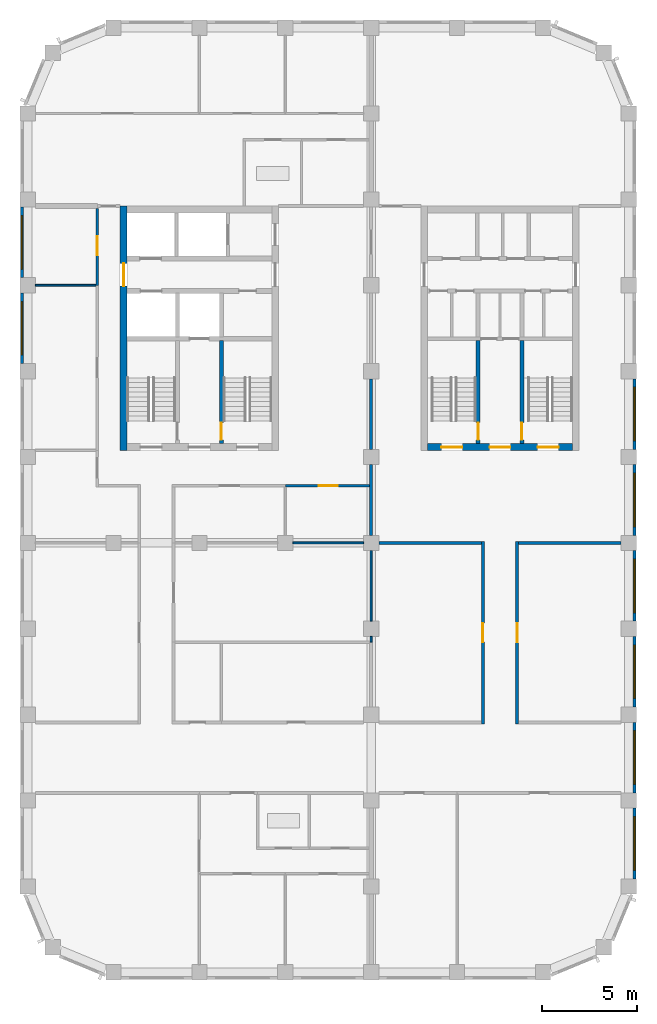
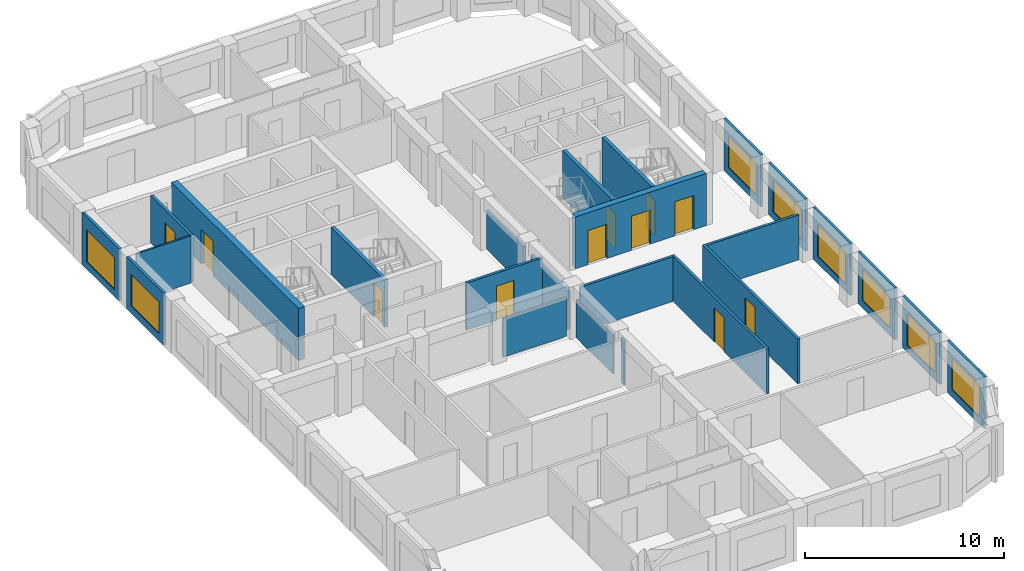
# One storey, part 4 of 9: 25 walls, 11 doors, 8 windows, 19 openings.
"""IFC4 building model written with IfcOpenShell, lengths in metres."""

import ifcopenshell
import ifcopenshell.guid

model = None  # the IFC model being written
_history = None  # IfcOwnerHistory: only IFC2X3 demands one
_inside = {}  # id of a spatial element -> (the spatial element, [elements in it])
_under = {}  # id of a project, library or spatial element -> (it, [spatial elements below it])
_declared = {}  # id of a project -> (the project, [libraries it declares])
_typed = {}  # id of a type object -> (the type object, [elements of that type])
_made_of = {}  # id of a material, layer set ... -> (it, [elements and type objects made of it])


def new_model(schema):
    """Start an empty IFC model of exactly this schema.

    Asked for "IFC4X3", IfcOpenShell would pick the latest addendum, in which some entities
    have other attributes; the version numbers below select the first issue.
    IFC2X3 requires an IfcOwnerHistory on every rooted entity: one is made here for all.
    """
    global model, _history
    if schema == "IFC4X3":
        model = ifcopenshell.file(schema_version=(4, 3, 0, 0))
    else:
        model = ifcopenshell.file(schema=schema)
    _inside.clear()
    _under.clear()
    _declared.clear()
    _typed.clear()
    _made_of.clear()
    _history = None
    if model.schema == "IFC2X3":
        org = make("IfcOrganization", Name="unknown")
        user = make(
            "IfcPersonAndOrganization",
            ThePerson=make("IfcPerson", FamilyName="unknown"),
            TheOrganization=org,
        )
        app = make(
            "IfcApplication",
            ApplicationDeveloper=org,
            Version="unknown",
            ApplicationFullName="unknown",
            ApplicationIdentifier="unknown",
        )
        _history = make(
            "IfcOwnerHistory",
            OwningUser=user,
            OwningApplication=app,
            ChangeAction="ADDED",
            CreationDate=0,
        )
    return model


def make(cls, **values):
    """One entity of the class cls with the attributes given. An attribute that is None is left unset."""
    return model.create_entity(
        cls, **{name: value for name, value in values.items() if value is not None}
    )


def rooted(cls, **values):
    """An entity with a GlobalId (a new one), such as an element, a storey or a relation."""
    return make(cls, GlobalId=ifcopenshell.guid.new(), OwnerHistory=_history, **values)


def si_unit(unit_type, name, prefix=None):
    """IfcSIUnit, for example si_unit("LENGTHUNIT", "METRE", prefix="MILLI")."""
    return make("IfcSIUnit", UnitType=unit_type, Prefix=prefix, Name=name)


def assignment(units):
    """IfcUnitAssignment: the units of a project."""
    return None if units is None else make("IfcUnitAssignment", Units=units)


def point(xyz):
    """IfcCartesianPoint."""
    return None if xyz is None else make("IfcCartesianPoint", Coordinates=xyz)


def direction(xyz):
    """IfcDirection."""
    return None if xyz is None else make("IfcDirection", DirectionRatios=xyz)


def frame(location, z_axis=None, x_axis=None):
    """IfcAxis2Placement3D, a coordinate frame: its origin and axes. An axis left out is left unset."""
    return make(
        "IfcAxis2Placement3D",
        Location=point(location),
        Axis=direction(z_axis),
        RefDirection=direction(x_axis),
    )


def frame_2d(location, x_axis=None):
    """IfcAxis2Placement2D, a coordinate frame in the plane: its origin and x axis."""
    return make(
        "IfcAxis2Placement2D", Location=point(location), RefDirection=direction(x_axis)
    )


def origin():
    """The frame at (0, 0, 0) with its axes left unset."""
    return frame((0.0, 0.0, 0.0))


def place(relative_to, where):
    """IfcLocalPlacement: puts the frame where relative to a parent placement (None: the world)."""
    return make(
        "IfcLocalPlacement", PlacementRelTo=relative_to, RelativePlacement=where
    )


def context(
    kind, dimensions, precision=None, world=None, true_north=None, identifier=None
):
    """IfcGeometricRepresentationContext, for example the 3D "Model" context."""
    return make(
        "IfcGeometricRepresentationContext",
        ContextIdentifier=identifier,
        ContextType=kind,
        CoordinateSpaceDimension=dimensions,
        Precision=precision,
        WorldCoordinateSystem=world,
        TrueNorth=true_north,
    )


def subcontext(parent, identifier, kind, view, scale=None):
    """IfcGeometricRepresentationSubContext, for example "Body" below "Model"."""
    return make(
        "IfcGeometricRepresentationSubContext",
        ContextIdentifier=identifier,
        ContextType=kind,
        ParentContext=parent,
        TargetScale=scale,
        TargetView=view,
    )


def project(units=None, contexts=None):
    """IfcProject with its units and contexts."""
    return rooted(
        "IfcProject",
        Name="project",
        RepresentationContexts=contexts,
        UnitsInContext=assignment(units),
    )


def spatial(cls, under=None, at=None, **own):
    """A site, building, storey or space (cls), placed at a placement, below another one or the project."""
    s = rooted(cls, ObjectPlacement=at, **own)
    if under is not None:
        _under.setdefault(under.id(), (under, []))[1].append(s)
    return s


def profile(cls, at=None, kind="AREA", **sizes):
    """A parametric profile (cls). Its sizes go by their IFC names, for example OverallWidth=200.0."""
    return make(cls, ProfileType=kind, Position=at, **sizes)


def rectangle(**sizes):
    """IfcRectangleProfileDef."""
    return profile("IfcRectangleProfileDef", **sizes)


def extrude(swept, where, along, depth):
    """IfcExtrudedAreaSolid: the profile swept, set in the frame where, extruded along a direction by depth."""
    return make(
        "IfcExtrudedAreaSolid",
        SweptArea=swept,
        Position=where,
        ExtrudedDirection=direction(along),
        Depth=depth,
    )


def shape(context_of_items, identifier, shape_type, items):
    """IfcShapeRepresentation: the items that make up one representation, for example the "Body"."""
    return make(
        "IfcShapeRepresentation",
        ContextOfItems=context_of_items,
        RepresentationIdentifier=identifier,
        RepresentationType=shape_type,
        Items=items,
    )


def material(Name=None, Category=None):
    """IfcMaterial."""
    return make("IfcMaterial", Name=Name, Category=Category)


def layer(
    of_material, thickness, ventilated=None, Name=None, Category=None, Priority=None
):
    """IfcMaterialLayer: one layer of a wall or slab, of a material (None: an air gap)."""
    return make(
        "IfcMaterialLayer",
        Material=of_material,
        LayerThickness=thickness,
        IsVentilated=ventilated,
        Name=Name,
        Category=Category,
        Priority=Priority,
    )


def layer_set(layers, Name=None):
    """IfcMaterialLayerSet."""
    return make("IfcMaterialLayerSet", MaterialLayers=layers, LayerSetName=Name)


def made_of(thing, what):
    """Note that an element or type object is made of a material, layer set ...; save() writes the relation."""
    if what is not None:
        _made_of.setdefault(what.id(), (what, []))[1].append(thing)
    return thing


def type_object(cls, material=None, **own):
    """A type object (cls), such as IfcWallType, which elements share."""
    return made_of(rooted(cls, **own), material)


def element(
    cls,
    number,
    at=None,
    inside=None,
    cuts=None,
    type_object=None,
    material=None,
    context=None,
    identifier="Body",
    shape_type=None,
    held_by="IfcProductDefinitionShape",
    body=None,
    shapes=None,
    **own,
):
    """One element of the class cls, such as IfcWall. Its Tag is "e" and its number.

    at: its placement. inside: the storey or other place that contains it. cuts: it is an
    opening in that element (IfcRelVoidsElement). A single representation is given by context,
    identifier, shape_type and body (its items); several are given by shapes. held_by: the class
    of the entity that holds the representations. save() writes the other relations.
    """
    e = rooted(cls, Tag="e%d" % number, ObjectPlacement=at, **own)
    if body is not None:
        shapes = [shape(context, identifier, shape_type, body)]
    if shapes is not None:
        e.Representation = make(held_by, Representations=shapes)
    if inside is not None:
        _inside.setdefault(inside.id(), (inside, []))[1].append(e)
    if cuts is not None:
        rooted(
            "IfcRelVoidsElement", RelatingBuildingElement=cuts, RelatedOpeningElement=e
        )
    if type_object is not None:
        _typed.setdefault(type_object.id(), (type_object, []))[1].append(e)
    return made_of(e, material)


def fill(opening, filler):
    """IfcRelFillsElement: the door or window that sits in an opening."""
    return rooted(
        "IfcRelFillsElement",
        RelatingOpeningElement=opening,
        RelatedBuildingElement=filler,
    )


def aggregate(whole, parts):
    """IfcRelAggregates: a whole, such as a stair, and the parts it consists of."""
    return rooted("IfcRelAggregates", RelatingObject=whole, RelatedObjects=parts)


def save(model, path):
    """Write the relations noted so far, then the file.

    IfcRelAggregates (storeys below a building ...), IfcRelContainedInSpatialStructure (elements
    in a storey), IfcRelDefinesByType, IfcRelAssociatesMaterial and IfcRelDeclares: one each for
    every whole, place, type object, material and project.
    """
    for whole, parts in _under.values():
        aggregate(whole, parts)
    for where, things in _inside.values():
        rooted(
            "IfcRelContainedInSpatialStructure",
            RelatedElements=things,
            RelatingStructure=where,
        )
    for kind, things in _typed.values():
        rooted("IfcRelDefinesByType", RelatedObjects=things, RelatingType=kind)
    for what, things in _made_of.values():
        rooted("IfcRelAssociatesMaterial", RelatedObjects=things, RelatingMaterial=what)
    for by, libraries in _declared.values():
        rooted("IfcRelDeclares", RelatingContext=by, RelatedDefinitions=libraries)
    model.write(path)


model = new_model("IFC4")

# Units and contexts
model_context = context("Model", 3, precision=1e-05, world=origin(), true_north=direction((0.0, 1.0)))
body_context = subcontext(model_context, "Body", "Model", "MODEL_VIEW")
ifc_project = project(units=[si_unit("LENGTHUNIT", "METRE"), si_unit("AREAUNIT", "SQUARE_METRE"), si_unit("VOLUMEUNIT", "CUBIC_METRE"), si_unit("PLANEANGLEUNIT", "RADIAN"), si_unit("MASSUNIT", "GRAM", prefix="KILO")], contexts=[model_context])

# Site, building, storey
site_placement = place(None, origin())
site = spatial("IfcSite", under=ifc_project, at=site_placement, CompositionType="ELEMENT")
building_placement = place(site_placement, origin())
building = spatial("IfcBuilding", under=site, at=building_placement, Name="Girih Gate Residences", CompositionType="ELEMENT")
storey_placement = place(building_placement, frame((0.0, 0.0, 189.10009765625)))
storey = spatial("IfcBuildingStorey", under=building, at=storey_placement, Name="L52", CompositionType="ELEMENT", Elevation=189.10009765625)

# Walls
ifc_material_1 = material(Name="Gypsum board on steel studs", Category="steel")
ifc_layer_1 = layer(ifc_material_1, 0.14990234375)
ifc_layer_set_1 = layer_set([ifc_layer_1], Name="Compartment wall 150 mm")
wall_type_1 = type_object("IfcWallType", Name="Compartment wall 150 mm", PredefinedType="PARTITIONING", material=ifc_layer_set_1)
for number, where, z_axis, x_axis, name in (
    (1, (18.39990234375, 22.5, 0.0), (0.0, 0.0, 1.0), (1.0, 0.0, 0.0), "L52 partition"),
    (2, (25.72509765625, 22.5, 0.0), (0.0, 0.0, 1.0), (1.0, 0.0, 0.0), "L52 partition"),
):
    element("IfcWall", number, at=place(storey_placement, frame(where, z_axis=z_axis, x_axis=x_axis)), inside=storey, type_object=wall_type_1, Name=name, PredefinedType="PARTITIONING", context=body_context, shape_type="SweptSolid", body=[
        extrude(rectangle(XDim=5.375, YDim=0.14990234375, at=frame_2d((2.6875, 0.0))), origin(), (0.0, 0.0, 1.0), 2.75),
    ])
for number, where, z_axis, x_axis, name in (
    (3, (18.0, 27.39990234375, 0.0), (0.0, 0.0, 1.0), (0.0, 1.0, 0.0), "L52 partition"),
    (4, (18.0, 22.89990234375, 0.0), (0.0, 0.0, 1.0), (0.0, 1.0, 0.0), "L52 partition"),
):
    element("IfcWall", number, at=place(storey_placement, frame(where, z_axis=z_axis, x_axis=x_axis)), inside=storey, type_object=wall_type_1, Name=name, PredefinedType="PARTITIONING", context=body_context, shape_type="SweptSolid", body=[
        extrude(rectangle(XDim=3.7001953125, YDim=0.14990234375, at=frame_2d((1.85009765625, 0.0))), origin(), (0.0, 0.0, 1.0), 2.3798828125),
    ])

# Wall, opening, door
wall_1_placement = place(storey_placement, frame((23.85009765625, 13.02490234375, 0.0), z_axis=(0.0, 0.0, 1.0), x_axis=(0.0, 1.0, 0.0)))
wall_1 = element("IfcWall", 5, at=wall_1_placement, inside=storey, type_object=wall_type_1, Name="L52 partition", PredefinedType="PARTITIONING", context=body_context, shape_type="SweptSolid", body=[
    extrude(rectangle(XDim=9.550048828125, YDim=0.14990234375, at=frame_2d((4.77490234375, 0.0))), origin(), (0.0, 0.0, 1.0), 2.75),
])
opening_1_placement = place(wall_1_placement, frame((4.27490234375, 0.0, 0.0)))
opening_1 = element("IfcOpeningElement", 6, at=opening_1_placement, cuts=wall_1, Name="Opening A52-018", PredefinedType="OPENING", context=body_context, shape_type="SweptSolid", body=[
    extrude(rectangle(XDim=1.0, YDim=2.10009765625, at=frame_2d((0.5, 1.050048828125))), frame((0.0, 0.0849609375, 0.0), z_axis=(0.0, -1.0, 0.0), x_axis=(1.0, 0.0, 0.0)), (0.0, 0.0, 1.0), 0.169921875),
])
ifc_material_2 = material(Name="Timber, fire-rated core", Category="wood")
door_type_1 = type_object("IfcDoorType", Name="Amenity room door 1000x2100 FD30S", OperationType="NOTDEFINED", PredefinedType="DOOR", material=ifc_material_2)
door_1_placement = place(opening_1_placement, origin())
door_1 = element("IfcDoor", 7, at=door_1_placement, inside=storey, type_object=door_type_1, Name="Door A52-018", OperationType="SINGLE_SWING_RIGHT", OverallHeight=2.10009765625, OverallWidth=1.0, PredefinedType="DOOR", context=body_context, shape_type="SweptSolid", body=[
    extrude(rectangle(XDim=1.0, YDim=2.10009765625, at=frame_2d((0.5, 1.050048828125))), frame((0.0, 0.02490234375, 0.0), z_axis=(0.0, -1.0, 0.0), x_axis=(1.0, 0.0, 0.0)), (0.0, 0.0, 1.0), 0.050048828125),
])
fill(opening_1, door_1)

wall_2_placement = place(storey_placement, frame((25.64990234375, 22.574951171875, 0.0), z_axis=(0.0, 0.0, 1.0), x_axis=(0.0, -1.0, 0.0)))
wall_2 = element("IfcWall", 8, at=wall_2_placement, inside=storey, type_object=wall_type_1, Name="L52 partition", PredefinedType="PARTITIONING", context=body_context, shape_type="SweptSolid", body=[
    extrude(rectangle(XDim=9.550048828125, YDim=0.14990234375, at=frame_2d((4.77490234375, 0.0))), origin(), (0.0, 0.0, 1.0), 2.75),
])
opening_2_placement = place(wall_2_placement, frame((4.27490234375, 0.0, 0.0)))
opening_2 = element("IfcOpeningElement", 9, at=opening_2_placement, cuts=wall_2, Name="Opening A52-019", PredefinedType="OPENING", context=body_context, shape_type="SweptSolid", body=[
    extrude(rectangle(XDim=1.0, YDim=2.10009765625, at=frame_2d((0.5, 1.050048828125))), frame((0.0, 0.0849609375, 0.0), z_axis=(0.0, -1.0, 0.0), x_axis=(1.0, 0.0, 0.0)), (0.0, 0.0, 1.0), 0.169921875),
])
door_2_placement = place(opening_2_placement, origin())
door_2 = element("IfcDoor", 10, at=door_2_placement, inside=storey, type_object=door_type_1, Name="Door A52-019", OperationType="SINGLE_SWING_LEFT", OverallHeight=2.10009765625, OverallWidth=1.0, PredefinedType="DOOR", context=body_context, shape_type="SweptSolid", body=[
    extrude(rectangle(XDim=1.0, YDim=2.10009765625, at=frame_2d((0.5, 1.050048828125))), frame((0.0, 0.02490234375, 0.0), z_axis=(0.0, -1.0, 0.0), x_axis=(1.0, 0.0, 0.0)), (0.0, 0.0, 1.0), 0.050048828125),
])
fill(opening_2, door_2)

wall_3_placement = place(storey_placement, frame((17.925048828125, 25.5, 0.0), z_axis=(0.0, 0.0, 1.0), x_axis=(-1.0, 0.0, 0.0)))
wall_3 = element("IfcWall", 11, at=wall_3_placement, inside=storey, type_object=wall_type_1, Name="L52 partition", PredefinedType="PARTITIONING", context=body_context, shape_type="SweptSolid", body=[
    extrude(rectangle(XDim=4.425048828125, YDim=0.14990234375, at=frame_2d((2.21240234375, 0.0))), origin(), (0.0, 0.0, 1.0), 2.89990234375),
])
opening_3_placement = place(wall_3_placement, frame((1.675048828125, 0.0, 0.0)))
opening_3 = element("IfcOpeningElement", 12, at=opening_3_placement, cuts=wall_3, Name="Opening A52-024", PredefinedType="OPENING", context=body_context, shape_type="SweptSolid", body=[
    extrude(rectangle(XDim=1.0, YDim=2.10009765625, at=frame_2d((0.5, 1.050048828125))), frame((0.0, 0.0849609375, 0.0), z_axis=(0.0, -1.0, 0.0), x_axis=(1.0, 0.0, 0.0)), (0.0, 0.0, 1.0), 0.169921875),
])
door_3_placement = place(opening_3_placement, origin())
door_3 = element("IfcDoor", 13, at=door_3_placement, inside=storey, type_object=door_type_1, Name="Door A52-024", OperationType="SINGLE_SWING_LEFT", OverallHeight=2.10009765625, OverallWidth=1.0, PredefinedType="DOOR", context=body_context, shape_type="SweptSolid", body=[
    extrude(rectangle(XDim=1.0, YDim=2.10009765625, at=frame_2d((0.5, 1.050048828125))), frame((0.0, 0.02490234375, 0.0), z_axis=(0.0, -1.0, 0.0), x_axis=(1.0, 0.0, 0.0)), (0.0, 0.0, 1.0), 0.050048828125),
])
fill(opening_3, door_3)

wall_4_placement = place(storey_placement, frame((3.64990234375, 36.0, 0.0), z_axis=(0.0, 0.0, 1.0), x_axis=(0.0, 1.0, 0.0)))
wall_4 = element("IfcWall", 14, at=wall_4_placement, inside=storey, type_object=wall_type_1, Name="L52 partition", PredefinedType="PARTITIONING", context=body_context, shape_type="SweptSolid", body=[
    extrude(rectangle(XDim=4.02490234375, YDim=0.14990234375, at=frame_2d((2.012451171875, 0.0))), origin(), (0.0, 0.0, 1.0), 2.89990234375),
])
opening_4_placement = place(wall_4_placement, frame((1.574951171875, 0.0, 0.0)))
opening_4 = element("IfcOpeningElement", 15, at=opening_4_placement, cuts=wall_4, Name="Opening A52-026", PredefinedType="OPENING", context=body_context, shape_type="SweptSolid", body=[
    extrude(rectangle(XDim=1.0, YDim=2.10009765625, at=frame_2d((0.5, 1.050048828125))), frame((0.0, 0.0849609375, 0.0), z_axis=(0.0, -1.0, 0.0), x_axis=(1.0, 0.0, 0.0)), (0.0, 0.0, 1.0), 0.169921875),
])
door_4_placement = place(opening_4_placement, origin())
door_4 = element("IfcDoor", 16, at=door_4_placement, inside=storey, type_object=door_type_1, Name="Door A52-026", OperationType="SINGLE_SWING_RIGHT", OverallHeight=2.10009765625, OverallWidth=1.0, PredefinedType="DOOR", context=body_context, shape_type="SweptSolid", body=[
    extrude(rectangle(XDim=1.0, YDim=2.10009765625, at=frame_2d((0.5, 1.050048828125))), frame((0.0, 0.02490234375, 0.0), z_axis=(0.0, -1.0, 0.0), x_axis=(1.0, 0.0, 0.0)), (0.0, 0.0, 1.0), 0.050048828125),
])
fill(opening_4, door_4)

ifc_material_3 = material(Name="Concrete C60/75", Category="concrete")
ifc_layer_2 = layer(ifc_material_3, 0.35009765625)
ifc_layer_set_2 = layer_set([ifc_layer_2], Name="Core wall RC 350 Concrete C60/75")
wall_type_2 = type_object("IfcWallType", Name="Core wall RC 350 Concrete C60/75", PredefinedType="SOLIDWALL", material=ifc_layer_set_2)
wall_5_placement = place(storey_placement, frame((5.02490234375, 27.35009765625, 0.0), z_axis=(0.0, 0.0, 1.0), x_axis=(0.0, 1.0, 0.0)))
wall_5 = element("IfcWall", 17, at=wall_5_placement, inside=storey, type_object=wall_type_2, Name="Core wall W-W L52", PredefinedType="SOLIDWALL", context=body_context, shape_type="SweptSolid", body=[
    extrude(rectangle(XDim=12.7998046875, YDim=0.35009765625, at=frame_2d((6.39990234375, 0.0))), origin(), (0.0, 0.0, 1.0), 3.199951171875),
])
opening_5_placement = place(wall_5_placement, frame((8.60009765625, 0.0, 0.0)))
opening_5 = element("IfcOpeningElement", 18, at=opening_5_placement, cuts=wall_5, Name="Opening D-L52-W-012", PredefinedType="OPENING", context=body_context, shape_type="SweptSolid", body=[
    extrude(rectangle(XDim=1.199951171875, YDim=2.10009765625, at=frame_2d((0.60009765625, 1.050048828125))), frame((0.0, 0.18505859375, 0.0), z_axis=(0.0, -1.0, 0.0), x_axis=(1.0, 0.0, 0.0)), (0.0, 0.0, 1.0), 0.3701171875),
])
ifc_material_4 = material(Name="Painted steel, fire-resisting", Category="steel")
door_type_2 = type_object("IfcDoorType", Name="Fire door 1200x2100", OperationType="SINGLE_SWING_LEFT", PredefinedType="DOOR", material=ifc_material_4)
door_5_placement = place(opening_5_placement, origin())
door_5 = element("IfcDoor", 19, at=door_5_placement, inside=storey, type_object=door_type_2, Name="L52 W core door ll-w", OperationType="SINGLE_SWING_LEFT", OverallHeight=2.10009765625, OverallWidth=1.199951171875, PredefinedType="DOOR", context=body_context, shape_type="SweptSolid", body=[
    extrude(rectangle(XDim=1.199951171875, YDim=2.10009765625, at=frame_2d((0.60009765625, 1.050048828125))), frame((0.0, 0.02490234375, 0.0), z_axis=(0.0, -1.0, 0.0), x_axis=(1.0, 0.0, 0.0)), (0.0, 0.0, 1.0), 0.050048828125),
])
fill(opening_5, door_5)

# Walls
ifc_layer_3 = layer(ifc_material_1, 0.10009765625)
ifc_layer_set_3 = layer_set([ifc_layer_3], Name="Partition 100 mm")
wall_type_3 = type_object("IfcWallType", Name="Partition 100 mm", PredefinedType="PARTITIONING", material=ifc_layer_set_3)
wall_6_placement = place(storey_placement, frame((18.0, 18.39990234375, 0.0), z_axis=(0.0, 0.0, 1.0), x_axis=(0.0, 1.0, 0.0)))
element("IfcWall", 20, at=wall_6_placement, inside=storey, type_object=wall_type_3, Name="L52 partition", PredefinedType="PARTITIONING", context=body_context, shape_type="SweptSolid", body=[
    extrude(rectangle(XDim=3.7001953125, YDim=0.10009765625, at=frame_2d((1.85009765625, 0.0))), origin(), (0.0, 0.0, 1.0), 2.3798828125),
])
wall_7_placement = place(storey_placement, frame((18.0, 17.300048828125, 0.0), z_axis=(0.0, 0.0, 1.0), x_axis=(0.0, 1.0, 0.0)))
element("IfcWall", 21, at=wall_7_placement, inside=storey, type_object=wall_type_3, Name="L52 partition", PredefinedType="PARTITIONING", context=body_context, shape_type="SweptSolid", body=[
    extrude(rectangle(XDim=0.300048828125, YDim=0.10009765625, at=frame_2d((0.14990234375, 0.0))), origin(), (0.0, 0.0, 1.0), 2.75),
])
wall_8_placement = place(storey_placement, frame((13.89990234375, 22.5, 0.0), z_axis=(0.0, 0.0, 1.0), x_axis=(1.0, 0.0, 0.0)))
element("IfcWall", 22, at=wall_8_placement, inside=storey, type_object=wall_type_3, Name="L52 partition", PredefinedType="PARTITIONING", context=body_context, shape_type="SweptSolid", body=[
    extrude(rectangle(XDim=3.7001953125, YDim=0.10009765625, at=frame_2d((1.85009765625, 0.0))), origin(), (0.0, 0.0, 1.0), 2.3798828125),
])
wall_9_placement = place(storey_placement, frame((0.39990234375, 36.0, 0.0), z_axis=(0.0, 0.0, 1.0), x_axis=(1.0, 0.0, 0.0)))
element("IfcWall", 23, at=wall_9_placement, inside=storey, type_object=wall_type_3, Name="L52 partition", PredefinedType="PARTITIONING", context=body_context, shape_type="SweptSolid", body=[
    extrude(rectangle(XDim=3.175048828125, YDim=0.10009765625, at=frame_2d((1.58740234375, 0.0))), origin(), (0.0, 0.0, 1.0), 2.89990234375),
])

# Wall, opening, window
ifc_material_5 = material(Name="Precast concrete C50/60", Category="concrete")
ifc_layer_4 = layer(ifc_material_5, 0.050048828125, Name="Outer leaf")
ifc_material_6 = material(Name="Rigid PIR insulation")
ifc_layer_5 = layer(ifc_material_6, 0.06005859375, Name="Insulation")
ifc_material_7 = material(Name="Precast concrete C40/50", Category="concrete")
ifc_layer_6 = layer(ifc_material_7, 0.0400390625, Name="Inner leaf")
ifc_layer_set_4 = layer_set([ifc_layer_4, ifc_layer_5, ifc_layer_6], Name="Precast concrete C50/60 external wall 150")
wall_type_4 = type_object("IfcWallType", Name="Precast concrete C50/60 external wall 150", PredefinedType="SOLIDWALL", material=ifc_layer_set_4)
wall_10_placement = place(storey_placement, frame((31.800048828125, 8.60009765625, 0.0), z_axis=(0.0, 0.0, 1.0), x_axis=(0.0, -1.0, 0.0)))
wall_10 = element("IfcWall", 24, at=wall_10_placement, inside=storey, type_object=wall_type_4, Name="External wall E0315_0045.0", PredefinedType="SOLIDWALL", context=body_context, shape_type="SweptSolid", body=[
    extrude(rectangle(XDim=3.7001953125, YDim=0.14990234375, at=frame_2d((1.85009765625, 0.0))), origin(), (0.0, 0.0, 1.0), 3.199951171875),
])
opening_6_placement = place(wall_10_placement, frame((0.449951171875, 0.0, 0.449951171875)))
opening_6 = element("IfcOpeningElement", 25, at=opening_6_placement, cuts=wall_10, Name="Opening W-1B", PredefinedType="OPENING", context=body_context, shape_type="SweptSolid", body=[
    extrude(rectangle(XDim=2.800048828125, YDim=1.949951171875, at=frame_2d((1.39990234375, 0.97509765625))), frame((0.0, 0.0849609375, 0.0), z_axis=(0.0, -1.0, 0.0), x_axis=(1.0, 0.0, 0.0)), (0.0, 0.0, 1.0), 0.169921875),
])
ifc_material_8 = material(Name="Double glazing in aluminium frame", Category="aluminium")
window_type = type_object("IfcWindowType", Name="Window W-1B 2800x1950", PartitioningType="SINGLE_PANEL", PredefinedType="WINDOW", material=ifc_material_8)
window_1_placement = place(opening_6_placement, origin())
window_1 = element("IfcWindow", 26, at=window_1_placement, inside=storey, type_object=window_type, Name="Window W-1B E0315_0045.0", OverallHeight=1.949951171875, OverallWidth=2.800048828125, PartitioningType="SINGLE_PANEL", PredefinedType="WINDOW", context=body_context, shape_type="SweptSolid", body=[
    extrude(rectangle(XDim=2.800048828125, YDim=1.949951171875, at=frame_2d((1.39990234375, 0.97509765625))), frame((0.0, 0.030029296875, 0.0), z_axis=(0.0, -1.0, 0.0), x_axis=(1.0, 0.0, 0.0)), (0.0, 0.0, 1.0), 0.06005859375),
])
fill(opening_6, window_1)

wall_11_placement = place(storey_placement, frame((31.800048828125, 13.10009765625, 0.0), z_axis=(0.0, 0.0, 1.0), x_axis=(0.0, -1.0, 0.0)))
wall_11 = element("IfcWall", 27, at=wall_11_placement, inside=storey, type_object=wall_type_4, Name="External wall E0315_0045.1", PredefinedType="SOLIDWALL", context=body_context, shape_type="SweptSolid", body=[
    extrude(rectangle(XDim=3.7001953125, YDim=0.14990234375, at=frame_2d((1.85009765625, 0.0))), origin(), (0.0, 0.0, 1.0), 3.199951171875),
])
opening_7_placement = place(wall_11_placement, frame((0.449951171875, 0.0, 0.449951171875)))
opening_7 = element("IfcOpeningElement", 28, at=opening_7_placement, cuts=wall_11, Name="Opening W-1B", PredefinedType="OPENING", context=body_context, shape_type="SweptSolid", body=[
    extrude(rectangle(XDim=2.800048828125, YDim=1.949951171875, at=frame_2d((1.39990234375, 0.97509765625))), frame((0.0, 0.0849609375, 0.0), z_axis=(0.0, -1.0, 0.0), x_axis=(1.0, 0.0, 0.0)), (0.0, 0.0, 1.0), 0.169921875),
])
window_2_placement = place(opening_7_placement, origin())
window_2 = element("IfcWindow", 29, at=window_2_placement, inside=storey, type_object=window_type, Name="Window W-1B E0315_0045.1", OverallHeight=1.949951171875, OverallWidth=2.800048828125, PartitioningType="SINGLE_PANEL", PredefinedType="WINDOW", context=body_context, shape_type="SweptSolid", body=[
    extrude(rectangle(XDim=2.800048828125, YDim=1.949951171875, at=frame_2d((1.39990234375, 0.97509765625))), frame((0.0, 0.030029296875, 0.0), z_axis=(0.0, -1.0, 0.0), x_axis=(1.0, 0.0, 0.0)), (0.0, 0.0, 1.0), 0.06005859375),
])
fill(opening_7, window_2)

wall_12_placement = place(storey_placement, frame((31.800048828125, 17.60009765625, 0.0), z_axis=(0.0, 0.0, 1.0), x_axis=(0.0, -1.0, 0.0)))
wall_12 = element("IfcWall", 30, at=wall_12_placement, inside=storey, type_object=wall_type_4, Name="External wall E0315_0045.2", PredefinedType="SOLIDWALL", context=body_context, shape_type="SweptSolid", body=[
    extrude(rectangle(XDim=3.7001953125, YDim=0.14990234375, at=frame_2d((1.85009765625, 0.0))), origin(), (0.0, 0.0, 1.0), 3.199951171875),
])
opening_8_placement = place(wall_12_placement, frame((0.449951171875, 0.0, 0.449951171875)))
opening_8 = element("IfcOpeningElement", 31, at=opening_8_placement, cuts=wall_12, Name="Opening W-1B", PredefinedType="OPENING", context=body_context, shape_type="SweptSolid", body=[
    extrude(rectangle(XDim=2.800048828125, YDim=1.949951171875, at=frame_2d((1.39990234375, 0.97509765625))), frame((0.0, 0.0849609375, 0.0), z_axis=(0.0, -1.0, 0.0), x_axis=(1.0, 0.0, 0.0)), (0.0, 0.0, 1.0), 0.169921875),
])
window_3_placement = place(opening_8_placement, origin())
window_3 = element("IfcWindow", 32, at=window_3_placement, inside=storey, type_object=window_type, Name="Window W-1B E0315_0045.2", OverallHeight=1.949951171875, OverallWidth=2.800048828125, PartitioningType="SINGLE_PANEL", PredefinedType="WINDOW", context=body_context, shape_type="SweptSolid", body=[
    extrude(rectangle(XDim=2.800048828125, YDim=1.949951171875, at=frame_2d((1.39990234375, 0.97509765625))), frame((0.0, 0.030029296875, 0.0), z_axis=(0.0, -1.0, 0.0), x_axis=(1.0, 0.0, 0.0)), (0.0, 0.0, 1.0), 0.06005859375),
])
fill(opening_8, window_3)

wall_13_placement = place(storey_placement, frame((31.800048828125, 22.10009765625, 0.0), z_axis=(0.0, 0.0, 1.0), x_axis=(0.0, -1.0, 0.0)))
wall_13 = element("IfcWall", 33, at=wall_13_placement, inside=storey, type_object=wall_type_4, Name="External wall E0315_0045.3", PredefinedType="SOLIDWALL", context=body_context, shape_type="SweptSolid", body=[
    extrude(rectangle(XDim=3.7001953125, YDim=0.14990234375, at=frame_2d((1.85009765625, 0.0))), origin(), (0.0, 0.0, 1.0), 3.199951171875),
])
opening_9_placement = place(wall_13_placement, frame((0.449951171875, 0.0, 0.449951171875)))
opening_9 = element("IfcOpeningElement", 34, at=opening_9_placement, cuts=wall_13, Name="Opening W-1B", PredefinedType="OPENING", context=body_context, shape_type="SweptSolid", body=[
    extrude(rectangle(XDim=2.800048828125, YDim=1.949951171875, at=frame_2d((1.39990234375, 0.97509765625))), frame((0.0, 0.0849609375, 0.0), z_axis=(0.0, -1.0, 0.0), x_axis=(1.0, 0.0, 0.0)), (0.0, 0.0, 1.0), 0.169921875),
])
window_4_placement = place(opening_9_placement, origin())
window_4 = element("IfcWindow", 35, at=window_4_placement, inside=storey, type_object=window_type, Name="Window W-1B E0315_0045.3", OverallHeight=1.949951171875, OverallWidth=2.800048828125, PartitioningType="SINGLE_PANEL", PredefinedType="WINDOW", context=body_context, shape_type="SweptSolid", body=[
    extrude(rectangle(XDim=2.800048828125, YDim=1.949951171875, at=frame_2d((1.39990234375, 0.97509765625))), frame((0.0, 0.030029296875, 0.0), z_axis=(0.0, -1.0, 0.0), x_axis=(1.0, 0.0, 0.0)), (0.0, 0.0, 1.0), 0.06005859375),
])
fill(opening_9, window_4)

wall_14_placement = place(storey_placement, frame((31.800048828125, 26.60009765625, 0.0), z_axis=(0.0, 0.0, 1.0), x_axis=(0.0, -1.0, 0.0)))
wall_14 = element("IfcWall", 36, at=wall_14_placement, inside=storey, type_object=wall_type_4, Name="External wall E0315_0045.4", PredefinedType="SOLIDWALL", context=body_context, shape_type="SweptSolid", body=[
    extrude(rectangle(XDim=3.7001953125, YDim=0.14990234375, at=frame_2d((1.85009765625, 0.0))), origin(), (0.0, 0.0, 1.0), 3.199951171875),
])
opening_10_placement = place(wall_14_placement, frame((0.449951171875, 0.0, 0.449951171875)))
opening_10 = element("IfcOpeningElement", 37, at=opening_10_placement, cuts=wall_14, Name="Opening W-1B", PredefinedType="OPENING", context=body_context, shape_type="SweptSolid", body=[
    extrude(rectangle(XDim=2.800048828125, YDim=1.949951171875, at=frame_2d((1.39990234375, 0.97509765625))), frame((0.0, 0.0849609375, 0.0), z_axis=(0.0, -1.0, 0.0), x_axis=(1.0, 0.0, 0.0)), (0.0, 0.0, 1.0), 0.169921875),
])
window_5_placement = place(opening_10_placement, origin())
window_5 = element("IfcWindow", 38, at=window_5_placement, inside=storey, type_object=window_type, Name="Window W-1B E0315_0045.4", OverallHeight=1.949951171875, OverallWidth=2.800048828125, PartitioningType="SINGLE_PANEL", PredefinedType="WINDOW", context=body_context, shape_type="SweptSolid", body=[
    extrude(rectangle(XDim=2.800048828125, YDim=1.949951171875, at=frame_2d((1.39990234375, 0.97509765625))), frame((0.0, 0.030029296875, 0.0), z_axis=(0.0, -1.0, 0.0), x_axis=(1.0, 0.0, 0.0)), (0.0, 0.0, 1.0), 0.06005859375),
])
fill(opening_10, window_5)

wall_15_placement = place(storey_placement, frame((31.800048828125, 31.10009765625, 0.0), z_axis=(0.0, 0.0, 1.0), x_axis=(0.0, -1.0, 0.0)))
wall_15 = element("IfcWall", 39, at=wall_15_placement, inside=storey, type_object=wall_type_4, Name="External wall E0315_0045.5", PredefinedType="SOLIDWALL", context=body_context, shape_type="SweptSolid", body=[
    extrude(rectangle(XDim=3.7001953125, YDim=0.14990234375, at=frame_2d((1.85009765625, 0.0))), origin(), (0.0, 0.0, 1.0), 3.199951171875),
])
opening_11_placement = place(wall_15_placement, frame((0.449951171875, 0.0, 0.449951171875)))
opening_11 = element("IfcOpeningElement", 40, at=opening_11_placement, cuts=wall_15, Name="Opening W-1B", PredefinedType="OPENING", context=body_context, shape_type="SweptSolid", body=[
    extrude(rectangle(XDim=2.800048828125, YDim=1.949951171875, at=frame_2d((1.39990234375, 0.97509765625))), frame((0.0, 0.0849609375, 0.0), z_axis=(0.0, -1.0, 0.0), x_axis=(1.0, 0.0, 0.0)), (0.0, 0.0, 1.0), 0.169921875),
])
window_6_placement = place(opening_11_placement, origin())
window_6 = element("IfcWindow", 41, at=window_6_placement, inside=storey, type_object=window_type, Name="Window W-1B E0315_0045.5", OverallHeight=1.949951171875, OverallWidth=2.800048828125, PartitioningType="SINGLE_PANEL", PredefinedType="WINDOW", context=body_context, shape_type="SweptSolid", body=[
    extrude(rectangle(XDim=2.800048828125, YDim=1.949951171875, at=frame_2d((1.39990234375, 0.97509765625))), frame((0.0, 0.030029296875, 0.0), z_axis=(0.0, -1.0, 0.0), x_axis=(1.0, 0.0, 0.0)), (0.0, 0.0, 1.0), 0.06005859375),
])
fill(opening_11, window_6)

wall_16_placement = place(storey_placement, frame((-0.300048828125, 36.39990234375, 0.0), z_axis=(0.0, 0.0, 1.0), x_axis=(0.0, 1.0, 0.0)))
wall_16 = element("IfcWall", 42, at=wall_16_placement, inside=storey, type_object=wall_type_4, Name="External wall W0000_0450.1", PredefinedType="SOLIDWALL", context=body_context, shape_type="SweptSolid", body=[
    extrude(rectangle(XDim=3.7001953125, YDim=0.14990234375, at=frame_2d((1.85009765625, 0.0))), origin(), (0.0, 0.0, 1.0), 3.199951171875),
])
opening_12_placement = place(wall_16_placement, frame((0.449951171875, 0.0, 0.449951171875)))
opening_12 = element("IfcOpeningElement", 43, at=opening_12_placement, cuts=wall_16, Name="Opening W-1B", PredefinedType="OPENING", context=body_context, shape_type="SweptSolid", body=[
    extrude(rectangle(XDim=2.800048828125, YDim=1.949951171875, at=frame_2d((1.39990234375, 0.97509765625))), frame((0.0, 0.0849609375, 0.0), z_axis=(0.0, -1.0, 0.0), x_axis=(1.0, 0.0, 0.0)), (0.0, 0.0, 1.0), 0.169921875),
])
window_7_placement = place(opening_12_placement, origin())
window_7 = element("IfcWindow", 44, at=window_7_placement, inside=storey, type_object=window_type, Name="Window W-1B W0000_0450.1", OverallHeight=1.949951171875, OverallWidth=2.800048828125, PartitioningType="SINGLE_PANEL", PredefinedType="WINDOW", context=body_context, shape_type="SweptSolid", body=[
    extrude(rectangle(XDim=2.800048828125, YDim=1.949951171875, at=frame_2d((1.39990234375, 0.97509765625))), frame((0.0, 0.030029296875, 0.0), z_axis=(0.0, -1.0, 0.0), x_axis=(1.0, 0.0, 0.0)), (0.0, 0.0, 1.0), 0.06005859375),
])
fill(opening_12, window_7)

wall_17_placement = place(storey_placement, frame((-0.300048828125, 31.89990234375, 0.0), z_axis=(0.0, 0.0, 1.0), x_axis=(0.0, 1.0, 0.0)))
wall_17 = element("IfcWall", 45, at=wall_17_placement, inside=storey, type_object=wall_type_4, Name="External wall W0000_0450.2", PredefinedType="SOLIDWALL", context=body_context, shape_type="SweptSolid", body=[
    extrude(rectangle(XDim=3.7001953125, YDim=0.14990234375, at=frame_2d((1.85009765625, 0.0))), origin(), (0.0, 0.0, 1.0), 3.199951171875),
])
opening_13_placement = place(wall_17_placement, frame((0.449951171875, 0.0, 0.449951171875)))
opening_13 = element("IfcOpeningElement", 46, at=opening_13_placement, cuts=wall_17, Name="Opening W-1B", PredefinedType="OPENING", context=body_context, shape_type="SweptSolid", body=[
    extrude(rectangle(XDim=2.800048828125, YDim=1.949951171875, at=frame_2d((1.39990234375, 0.97509765625))), frame((0.0, 0.0849609375, 0.0), z_axis=(0.0, -1.0, 0.0), x_axis=(1.0, 0.0, 0.0)), (0.0, 0.0, 1.0), 0.169921875),
])
window_8_placement = place(opening_13_placement, origin())
window_8 = element("IfcWindow", 47, at=window_8_placement, inside=storey, type_object=window_type, Name="Window W-1B W0000_0450.2", OverallHeight=1.949951171875, OverallWidth=2.800048828125, PartitioningType="SINGLE_PANEL", PredefinedType="WINDOW", context=body_context, shape_type="SweptSolid", body=[
    extrude(rectangle(XDim=2.800048828125, YDim=1.949951171875, at=frame_2d((1.39990234375, 0.97509765625))), frame((0.0, 0.030029296875, 0.0), z_axis=(0.0, -1.0, 0.0), x_axis=(1.0, 0.0, 0.0)), (0.0, 0.0, 1.0), 0.06005859375),
])
fill(opening_13, window_8)

# Wall, opening, door
ifc_material_9 = material(Name="Concrete C40/50", Category="concrete")
ifc_layer_7 = layer(ifc_material_9, 0.199951171875)
ifc_layer_set_5 = layer_set([ifc_layer_7], Name="Shaft wall 200")
wall_type_5 = type_object("IfcWallType", Name="Shaft wall 200", PredefinedType="SOLIDWALL", material=ifc_layer_set_5)
wall_18_placement = place(storey_placement, frame((10.14990234375, 27.699951171875, 0.0), z_axis=(0.0, 0.0, 1.0), x_axis=(0.0, 1.0, 0.0)))
wall_18 = element("IfcWall", 48, at=wall_18_placement, inside=storey, type_object=wall_type_5, Name="L52 W core wall V2a", PredefinedType="SOLIDWALL", context=body_context, shape_type="SweptSolid", body=[
    extrude(rectangle(XDim=5.400146484375, YDim=0.199951171875, at=frame_2d((2.7001953125, 0.0))), origin(), (0.0, 0.0, 1.0), 2.89990234375),
])
opening_14_placement = place(wall_18_placement, frame((0.199951171875, 0.0, 0.0)))
opening_14 = element("IfcOpeningElement", 49, at=opening_14_placement, cuts=wall_18, Name="Opening D-L52-W-002", PredefinedType="OPENING", context=body_context, shape_type="SweptSolid", body=[
    extrude(rectangle(XDim=0.89990234375, YDim=2.10009765625, at=frame_2d((0.449951171875, 1.050048828125))), frame((0.0, 0.10986328125, 0.0), z_axis=(0.0, -1.0, 0.0), x_axis=(1.0, 0.0, 0.0)), (0.0, 0.0, 1.0), 0.219970703125),
])
door_type_3 = type_object("IfcDoorType", Name="Fire door 900x2100", OperationType="SINGLE_SWING_LEFT", PredefinedType="DOOR", material=ifc_material_4)
door_6_placement = place(opening_14_placement, origin())
door_6 = element("IfcDoor", 50, at=door_6_placement, inside=storey, type_object=door_type_3, Name="L52 W door stair 2 to firefighting lobby", OperationType="SINGLE_SWING_LEFT", OverallHeight=2.10009765625, OverallWidth=0.89990234375, PredefinedType="DOOR", context=body_context, shape_type="SweptSolid", body=[
    extrude(rectangle(XDim=0.89990234375, YDim=2.10009765625, at=frame_2d((0.449951171875, 1.050048828125))), frame((0.0, 0.02490234375, 0.0), z_axis=(0.0, -1.0, 0.0), x_axis=(1.0, 0.0, 0.0)), (0.0, 0.0, 1.0), 0.050048828125),
])
fill(opening_14, door_6)

wall_19_placement = place(storey_placement, frame((23.60009765625, 27.699951171875, 0.0), z_axis=(0.0, 0.0, 1.0), x_axis=(0.0, 1.0, 0.0)))
wall_19 = element("IfcWall", 51, at=wall_19_placement, inside=storey, type_object=wall_type_5, Name="L52 C core wall V1a", PredefinedType="SOLIDWALL", context=body_context, shape_type="SweptSolid", body=[
    extrude(rectangle(XDim=5.400146484375, YDim=0.199951171875, at=frame_2d((2.7001953125, 0.0))), origin(), (0.0, 0.0, 1.0), 2.89990234375),
])
opening_15_placement = place(wall_19_placement, frame((0.199951171875, 0.0, 0.0)))
opening_15 = element("IfcOpeningElement", 52, at=opening_15_placement, cuts=wall_19, Name="Opening D-L52-C-001", PredefinedType="OPENING", context=body_context, shape_type="SweptSolid", body=[
    extrude(rectangle(XDim=0.89990234375, YDim=2.10009765625, at=frame_2d((0.449951171875, 1.050048828125))), frame((0.0, 0.10986328125, 0.0), z_axis=(0.0, -1.0, 0.0), x_axis=(1.0, 0.0, 0.0)), (0.0, 0.0, 1.0), 0.219970703125),
])
door_7_placement = place(opening_15_placement, origin())
door_7 = element("IfcDoor", 53, at=door_7_placement, inside=storey, type_object=door_type_3, Name="L52 C door stair 1 to stair lobby", OperationType="SINGLE_SWING_LEFT", OverallHeight=2.10009765625, OverallWidth=0.89990234375, PredefinedType="DOOR", context=body_context, shape_type="SweptSolid", body=[
    extrude(rectangle(XDim=0.89990234375, YDim=2.10009765625, at=frame_2d((0.449951171875, 1.050048828125))), frame((0.0, 0.02490234375, 0.0), z_axis=(0.0, -1.0, 0.0), x_axis=(1.0, 0.0, 0.0)), (0.0, 0.0, 1.0), 0.050048828125),
])
fill(opening_15, door_7)

wall_20_placement = place(storey_placement, frame((25.89990234375, 27.699951171875, 0.0), z_axis=(0.0, 0.0, 1.0), x_axis=(0.0, 1.0, 0.0)))
wall_20 = element("IfcWall", 54, at=wall_20_placement, inside=storey, type_object=wall_type_5, Name="L52 C core wall V2a", PredefinedType="SOLIDWALL", context=body_context, shape_type="SweptSolid", body=[
    extrude(rectangle(XDim=5.400146484375, YDim=0.199951171875, at=frame_2d((2.7001953125, 0.0))), origin(), (0.0, 0.0, 1.0), 2.89990234375),
])
opening_16_placement = place(wall_20_placement, frame((0.199951171875, 0.0, 0.0)))
opening_16 = element("IfcOpeningElement", 55, at=opening_16_placement, cuts=wall_20, Name="Opening D-L52-C-002", PredefinedType="OPENING", context=body_context, shape_type="SweptSolid", body=[
    extrude(rectangle(XDim=0.89990234375, YDim=2.10009765625, at=frame_2d((0.449951171875, 1.050048828125))), frame((0.0, 0.10986328125, 0.0), z_axis=(0.0, -1.0, 0.0), x_axis=(1.0, 0.0, 0.0)), (0.0, 0.0, 1.0), 0.219970703125),
])
door_8_placement = place(opening_16_placement, origin())
door_8 = element("IfcDoor", 56, at=door_8_placement, inside=storey, type_object=door_type_3, Name="L52 C door stair 2 to stair lobby", OperationType="SINGLE_SWING_LEFT", OverallHeight=2.10009765625, OverallWidth=0.89990234375, PredefinedType="DOOR", context=body_context, shape_type="SweptSolid", body=[
    extrude(rectangle(XDim=0.89990234375, YDim=2.10009765625, at=frame_2d((0.449951171875, 1.050048828125))), frame((0.0, 0.02490234375, 0.0), z_axis=(0.0, -1.0, 0.0), x_axis=(1.0, 0.0, 0.0)), (0.0, 0.0, 1.0), 0.050048828125),
])
fill(opening_16, door_8)

# Wall, openings, doors
ifc_layer_8 = layer(ifc_material_9, 0.35009765625)
ifc_layer_set_6 = layer_set([ifc_layer_8], Name="Stair core wall RC 350 Concrete C40/50")
wall_type_6 = type_object("IfcWallType", Name="Stair core wall RC 350 Concrete C40/50", PredefinedType="SOLIDWALL", material=ifc_layer_set_6)
wall_21_placement = place(storey_placement, frame((20.949951171875, 27.52490234375, 0.0), z_axis=(0.0, 0.0, 1.0), x_axis=(1.0, 0.0, 0.0)))
wall_21 = element("IfcWall", 57, at=wall_21_placement, inside=storey, type_object=wall_type_6, Name="Stair core wall C-S L52", PredefinedType="SOLIDWALL", context=body_context, shape_type="SweptSolid", body=[
    extrude(rectangle(XDim=7.60009765625, YDim=0.35009765625, at=frame_2d((3.800048828125, 0.0))), origin(), (0.0, 0.0, 1.0), 3.199951171875),
])
opening_17_placement = place(wall_21_placement, frame((0.72509765625, 0.0, 0.0)))
opening_17 = element("IfcOpeningElement", 58, at=opening_17_placement, cuts=wall_21, Name="Opening D-L52-C-013", PredefinedType="OPENING", context=body_context, shape_type="SweptSolid", body=[
    extrude(rectangle(XDim=1.10009765625, YDim=2.10009765625, at=frame_2d((0.550048828125, 1.050048828125))), frame((0.0, 0.18505859375, 0.0), z_axis=(0.0, -1.0, 0.0), x_axis=(1.0, 0.0, 0.0)), (0.0, 0.0, 1.0), 0.3701171875),
])
opening_18_placement = place(wall_21_placement, frame((3.25, 0.0, 0.0)))
opening_18 = element("IfcOpeningElement", 59, at=opening_18_placement, cuts=wall_21, Name="Opening D-L52-C-014", PredefinedType="OPENING", context=body_context, shape_type="SweptSolid", body=[
    extrude(rectangle(XDim=1.10009765625, YDim=2.10009765625, at=frame_2d((0.550048828125, 1.050048828125))), frame((0.0, 0.18505859375, 0.0), z_axis=(0.0, -1.0, 0.0), x_axis=(1.0, 0.0, 0.0)), (0.0, 0.0, 1.0), 0.3701171875),
])
opening_19_placement = place(wall_21_placement, frame((5.77490234375, 0.0, 0.0)))
opening_19 = element("IfcOpeningElement", 60, at=opening_19_placement, cuts=wall_21, Name="Opening D-L52-C-015", PredefinedType="OPENING", context=body_context, shape_type="SweptSolid", body=[
    extrude(rectangle(XDim=1.10009765625, YDim=2.10009765625, at=frame_2d((0.550048828125, 1.050048828125))), frame((0.0, 0.18505859375, 0.0), z_axis=(0.0, -1.0, 0.0), x_axis=(1.0, 0.0, 0.0)), (0.0, 0.0, 1.0), 0.3701171875),
])
door_type_4 = type_object("IfcDoorType", Name="Fire door 1100x2100", OperationType="SINGLE_SWING_LEFT", PredefinedType="DOOR", material=ifc_material_4)
door_9_placement = place(opening_17_placement, origin())
door_9 = element("IfcDoor", 61, at=door_9_placement, inside=storey, type_object=door_type_4, Name="L52 C core door sta-out", OperationType="SINGLE_SWING_LEFT", OverallHeight=2.10009765625, OverallWidth=1.10009765625, PredefinedType="DOOR", context=body_context, shape_type="SweptSolid", body=[
    extrude(rectangle(XDim=1.10009765625, YDim=2.10009765625, at=frame_2d((0.550048828125, 1.050048828125))), frame((0.0, 0.02490234375, 0.0), z_axis=(0.0, -1.0, 0.0), x_axis=(1.0, 0.0, 0.0)), (0.0, 0.0, 1.0), 0.050048828125),
])
fill(opening_17, door_9)
door_10_placement = place(opening_18_placement, origin())
door_10 = element("IfcDoor", 62, at=door_10_placement, inside=storey, type_object=door_type_4, Name="L52 C core door ffl-out", OperationType="SINGLE_SWING_LEFT", OverallHeight=2.10009765625, OverallWidth=1.10009765625, PredefinedType="DOOR", context=body_context, shape_type="SweptSolid", body=[
    extrude(rectangle(XDim=1.10009765625, YDim=2.10009765625, at=frame_2d((0.550048828125, 1.050048828125))), frame((0.0, 0.02490234375, 0.0), z_axis=(0.0, -1.0, 0.0), x_axis=(1.0, 0.0, 0.0)), (0.0, 0.0, 1.0), 0.050048828125),
])
fill(opening_18, door_10)
door_11_placement = place(opening_19_placement, origin())
door_11 = element("IfcDoor", 63, at=door_11_placement, inside=storey, type_object=door_type_4, Name="L52 C core door stb-out", OperationType="SINGLE_SWING_LEFT", OverallHeight=2.10009765625, OverallWidth=1.10009765625, PredefinedType="DOOR", context=body_context, shape_type="SweptSolid", body=[
    extrude(rectangle(XDim=1.10009765625, YDim=2.10009765625, at=frame_2d((0.550048828125, 1.050048828125))), frame((0.0, 0.02490234375, 0.0), z_axis=(0.0, -1.0, 0.0), x_axis=(1.0, 0.0, 0.0)), (0.0, 0.0, 1.0), 0.050048828125),
])
fill(opening_19, door_11)

save(model, "model.ifc")
